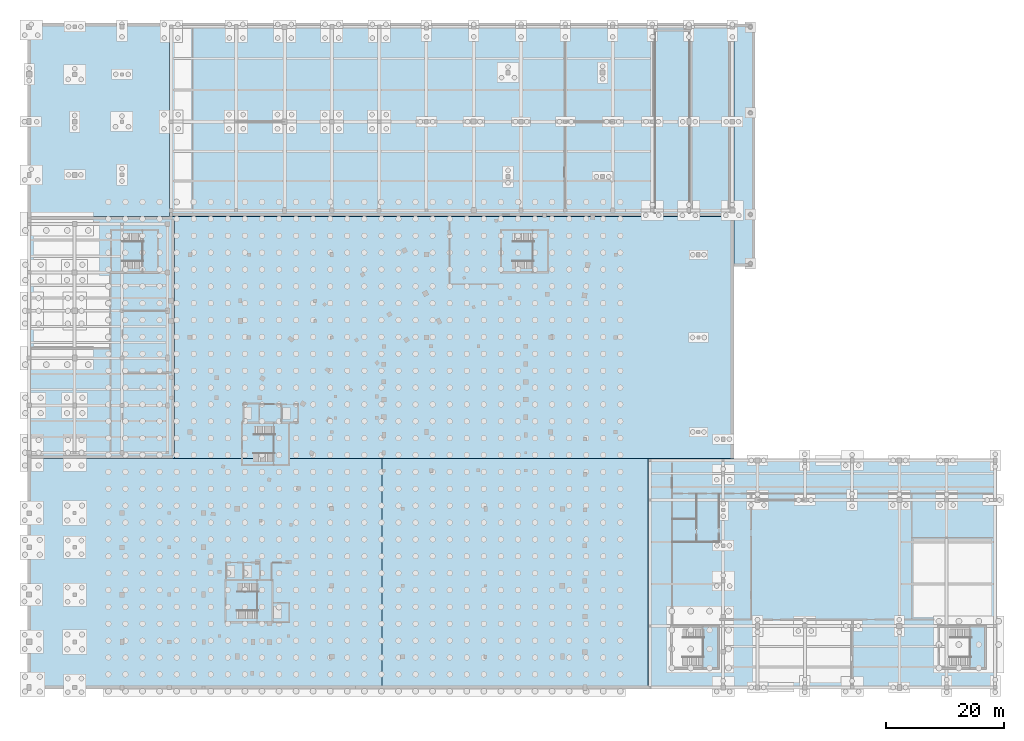
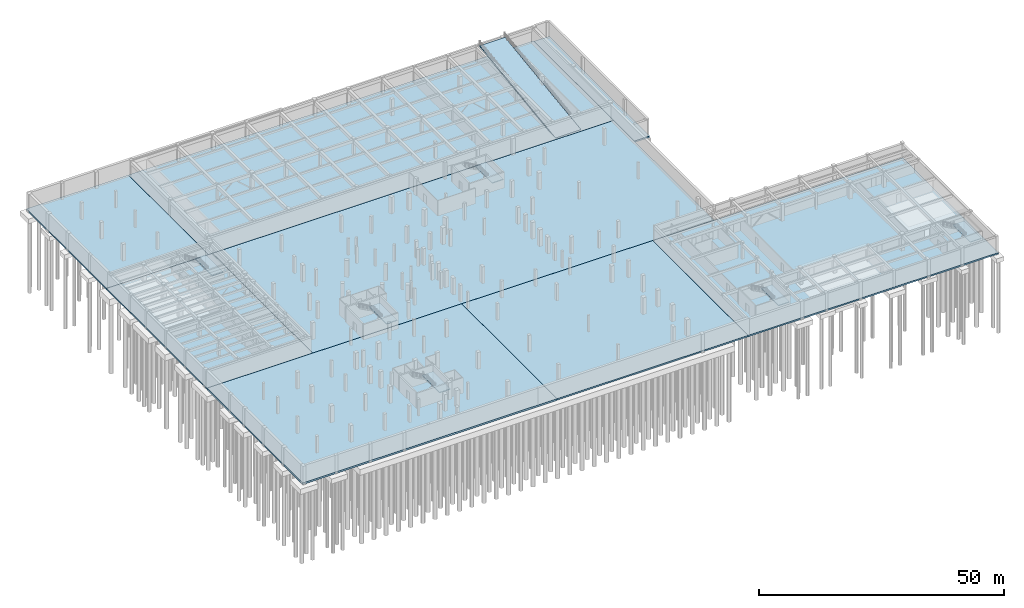
# One storey, part 13 of 36: 15 slabs, 6 elements without a shape of their own.
"""IFC4 building model written with IfcOpenShell, lengths in metres."""

from ifc_helpers import new_model, si_unit, direction, frame, origin, place, context, subcontext, project, spatial, polyline, outline, extrude, material, layer, layer_set, type_object, element, aggregate, save


model = new_model("IFC4")

# Units and contexts
model_context = context("Model", 3, precision=1e-05, world=origin(), true_north=direction((0.0, 1.0)))
body_context = subcontext(model_context, "Body", "Model", "MODEL_VIEW")
ifc_project = project(units=[si_unit("LENGTHUNIT", "METRE"), si_unit("AREAUNIT", "SQUARE_METRE"), si_unit("VOLUMEUNIT", "CUBIC_METRE"), si_unit("PLANEANGLEUNIT", "RADIAN"), si_unit("MASSUNIT", "GRAM", prefix="KILO"), si_unit("THERMODYNAMICTEMPERATUREUNIT", "KELVIN"), si_unit("POWERUNIT", "WATT")], contexts=[model_context])

# Site, building, storey
site_placement = place(None, origin())
site = spatial("IfcSite", under=ifc_project, at=site_placement, CompositionType="ELEMENT")
building_placement = place(site_placement, origin())
building = spatial("IfcBuilding", under=site, at=building_placement, Name="Solvatero Civic Police Headquarters", CompositionType="ELEMENT")
storey_placement = place(building_placement, frame((0.0, 0.0, -8.39990234375)))
storey = spatial("IfcBuildingStorey", under=building, at=storey_placement, Name="B02", CompositionType="ELEMENT", Elevation=-8.39990234375)

# Stair, slab
ifc_material_1 = material(Name="Precast concrete C40/50", Category="concrete")
stair_type_1 = type_object("IfcStairType", Name="STR-C150-420", PredefinedType="HALF_TURN_STAIR", material=ifc_material_1)
stair_1_placement = place(storey_placement, origin())
stair_1 = element("IfcStair", 1, at=stair_1_placement, inside=storey, type_object=stair_type_1, Name="Protected Exit Stair ST-C1 (B02 to B01)", PredefinedType="HALF_TURN_STAIR")
ifc_layer_1 = layer(ifc_material_1, 0.199951171875)
ifc_layer_set_1 = layer_set([ifc_layer_1], Name="Precast concrete C40/50")
slab_type_1 = type_object("IfcSlabType", Name="SLB-LND-200", PredefinedType="LANDING", material=ifc_layer_set_1)
slab_1_placement = place(storey_placement, frame((0.0, 0.0, 1.89990234375)))
slab_1 = element("IfcSlab", 2, at=slab_1_placement, type_object=slab_type_1, Name="ST-C1 B02 Half-Landing", PredefinedType="LANDING", context=body_context, shape_type="SweptSolid", body=[
    extrude(outline(polyline([(43.340087890625, 15.85009765625), (45.949951171875, 15.85009765625), (45.949951171875, 22.949951171875), (43.340087890625, 22.949951171875), (43.340087890625, 15.85009765625)])), origin(), (0.0, 0.0, 1.0), 0.199951171875),
])
aggregate(stair_1, [slab_1])

stair_2_placement = place(storey_placement, origin())
stair_2 = element("IfcStair", 3, at=stair_2_placement, inside=storey, type_object=stair_type_1, Name="Protected Exit Stair ST-C2 (B02 to B01)", PredefinedType="HALF_TURN_STAIR")
slab_2_placement = place(storey_placement, frame((0.0, 0.0, 1.89990234375)))
slab_2 = element("IfcSlab", 4, at=slab_2_placement, type_object=slab_type_1, Name="ST-C2 B02 Half-Landing", PredefinedType="LANDING", context=body_context, shape_type="SweptSolid", body=[
    extrude(outline(polyline([(46.139892578125, 42.449951171875), (48.75, 42.449951171875), (48.75, 49.550048828125), (46.139892578125, 49.550048828125), (46.139892578125, 42.449951171875)])), origin(), (0.0, 0.0, 1.0), 0.199951171875),
])
aggregate(stair_2, [slab_2])

stair_type_2 = type_object("IfcStairType", Name="STR-C145-420", PredefinedType="HALF_TURN_STAIR", material=ifc_material_1)
stair_3_placement = place(storey_placement, origin())
stair_3 = element("IfcStair", 5, at=stair_3_placement, inside=storey, type_object=stair_type_2, Name="Protected Exit Stair ST-C3 (B02 to B01)", PredefinedType="HALF_TURN_STAIR")
slab_3_placement = place(storey_placement, frame((0.0, 0.0, 1.89990234375)))
slab_3 = element("IfcSlab", 6, at=slab_3_placement, type_object=slab_type_1, Name="ST-C3 B02 Half-Landing", PredefinedType="LANDING", context=body_context, shape_type="SweptSolid", body=[
    extrude(outline(polyline([(89.93994140625, 75.050048828125), (92.550048828125, 75.050048828125), (92.550048828125, 82.14990234375), (89.93994140625, 82.14990234375), (89.93994140625, 75.050048828125)])), origin(), (0.0, 0.0, 1.0), 0.199951171875),
])
aggregate(stair_3, [slab_3])

stair_4_placement = place(storey_placement, origin())
stair_4 = element("IfcStair", 7, at=stair_4_placement, inside=storey, type_object=stair_type_2, Name="Protected Exit Stair ST-C4 (B02 to B01)", PredefinedType="HALF_TURN_STAIR")
slab_4_placement = place(storey_placement, frame((0.0, 0.0, 1.89990234375)))
slab_4 = element("IfcSlab", 8, at=slab_4_placement, type_object=slab_type_1, Name="ST-C4 B02 Half-Landing", PredefinedType="LANDING", context=body_context, shape_type="SweptSolid", body=[
    extrude(outline(polyline([(23.93994140625, 75.050048828125), (26.550048828125, 75.050048828125), (26.550048828125, 82.14990234375), (23.93994140625, 82.14990234375), (23.93994140625, 75.050048828125)])), origin(), (0.0, 0.0, 1.0), 0.199951171875),
])
aggregate(stair_4, [slab_4])

stair_5_placement = place(storey_placement, origin())
stair_5 = element("IfcStair", 9, at=stair_5_placement, inside=storey, type_object=stair_type_2, Name="Protected Exit Stair ST-C5 (B02 to B01)", PredefinedType="HALF_TURN_STAIR")
slab_5_placement = place(storey_placement, frame((0.0, 0.0, 1.89990234375)))
slab_5 = element("IfcSlab", 10, at=slab_5_placement, type_object=slab_type_1, Name="ST-C5 B02 Half-Landing", PredefinedType="LANDING", context=body_context, shape_type="SweptSolid", body=[
    extrude(outline(polyline([(118.739990234375, 8.050048828125), (121.35009765625, 8.050048828125), (121.35009765625, 15.14990234375), (118.739990234375, 15.14990234375), (118.739990234375, 8.050048828125)])), origin(), (0.0, 0.0, 1.0), 0.199951171875),
])
aggregate(stair_5, [slab_5])

stair_6_placement = place(storey_placement, origin())
stair_6 = element("IfcStair", 11, at=stair_6_placement, inside=storey, type_object=stair_type_2, Name="Protected Exit Stair ST-C6 (B02 to B01)", PredefinedType="HALF_TURN_STAIR")
slab_6_placement = place(storey_placement, frame((0.0, 0.0, 1.89990234375)))
slab_6 = element("IfcSlab", 12, at=slab_6_placement, type_object=slab_type_1, Name="ST-C6 B02 Half-Landing", PredefinedType="LANDING", context=body_context, shape_type="SweptSolid", body=[
    extrude(outline(polyline([(163.93994140625, 8.050048828125), (166.550048828125, 8.050048828125), (166.550048828125, 15.14990234375), (163.93994140625, 15.14990234375), (163.93994140625, 8.050048828125)])), origin(), (0.0, 0.0, 1.0), 0.199951171875),
])
aggregate(stair_6, [slab_6])

# Slabs
ifc_material_2 = material(Name="Concrete C35/45", Category="concrete")
ifc_layer_2 = layer(ifc_material_2, 0.360107421875)
ifc_layer_set_2 = layer_set([ifc_layer_2], Name="Concrete C35/45")
slab_type_2 = type_object("IfcSlabType", Name="SLB-MAT-360", PredefinedType="BASESLAB", material=ifc_layer_set_2)
slab_7_placement = place(storey_placement, frame((0.0, 0.0, -0.360107421875)))
element("IfcSlab", 13, at=slab_7_placement, inside=storey, type_object=slab_type_2, Name="B02 Foundation base mat SLB-B02-SC", PredefinedType="BASESLAB", context=body_context, shape_type="SweptSolid", body=[
    extrude(outline(polyline([(109.5, 43.5), (109.5, 4.5), (64.501953125, 4.5), (64.501953125, 43.5), (109.5, 43.5)])), origin(), (0.0, 0.0, 1.0), 0.360107421875),
])
slab_8_placement = place(storey_placement, frame((0.0, 0.0, -0.360107421875)))
element("IfcSlab", 14, at=slab_8_placement, inside=storey, type_object=slab_type_2, Name="B02 Foundation base mat SLB-B02-E", PredefinedType="BASESLAB", context=body_context, shape_type="SweptSolid", body=[
    extrude(outline(polyline([(168.5, 43.5), (168.5, 4.5), (109.501953125, 4.5), (109.501953125, 43.5), (168.5, 43.5)])), origin(), (0.0, 0.0, 1.0), 0.360107421875),
])
slab_9_placement = place(storey_placement, frame((0.0, 0.0, -0.360107421875)))
element("IfcSlab", 15, at=slab_9_placement, inside=storey, type_object=slab_type_2, Name="B02 Foundation base mat SLB-B02-W", PredefinedType="BASESLAB", context=body_context, shape_type="SweptSolid", body=[
    extrude(outline(polyline([(4.5, 84.5), (29.39990234375, 84.5), (29.39990234375, 43.501953125), (4.5, 43.501953125), (4.5, 84.5)])), origin(), (0.0, 0.0, 1.0), 0.360107421875),
])
slab_10_placement = place(storey_placement, frame((0.0, 0.0, -0.360107421875)))
element("IfcSlab", 16, at=slab_10_placement, inside=storey, type_object=slab_type_2, Name="B02 Foundation base mat SLB-B02-MC", PredefinedType="BASESLAB", context=body_context, shape_type="SweptSolid", body=[
    extrude(outline(polyline([(124.0, 84.5), (124.0, 43.501953125), (29.402099609375, 43.501953125), (29.402099609375, 84.5), (124.0, 84.5)])), origin(), (0.0, 0.0, 1.0), 0.360107421875),
])
slab_11_placement = place(storey_placement, frame((0.0, 0.0, -0.360107421875)))
element("IfcSlab", 17, at=slab_11_placement, inside=storey, type_object=slab_type_2, Name="B02 Foundation base mat SLB-B02-NW", PredefinedType="BASESLAB", context=body_context, shape_type="SweptSolid", body=[
    extrude(outline(polyline([(4.5, 117.199951171875), (28.5, 117.199951171875), (28.5, 84.501953125), (4.5, 84.501953125), (4.5, 117.199951171875)])), origin(), (0.0, 0.0, 1.0), 0.360107421875),
])
slab_12_placement = place(storey_placement, frame((0.0, 0.0, -0.360107421875)))
element("IfcSlab", 18, at=slab_12_placement, inside=storey, type_object=slab_type_2, Name="B02 Foundation base mat SLB-B02-N", PredefinedType="BASESLAB", context=body_context, shape_type="SweptSolid", body=[
    extrude(outline(polyline([(124.0, 117.199951171875), (124.0, 84.501953125), (28.501953125, 84.501953125), (28.501953125, 117.199951171875), (124.0, 117.199951171875)])), origin(), (0.0, 0.0, 1.0), 0.360107421875),
])
slab_13_placement = place(storey_placement, frame((0.0, 0.0, -0.360107421875)))
element("IfcSlab", 19, at=slab_13_placement, inside=storey, type_object=slab_type_2, Name="B02 Driveway Apron Base Mat", PredefinedType="BASESLAB", context=body_context, shape_type="SweptSolid", body=[
    extrude(outline(polyline([(127.60009765625, 117.0), (127.60009765625, 76.0), (124.001953125, 76.0), (124.001953125, 117.0), (127.60009765625, 117.0)])), origin(), (0.0, 0.0, 1.0), 0.360107421875),
])
ifc_layer_3 = layer(ifc_material_2, 0.419921875)
ifc_layer_set_3 = layer_set([ifc_layer_3], Name="Concrete C35/45")
slab_type_3 = type_object("IfcSlabType", Name="SLB-MAT-420", PredefinedType="BASESLAB", material=ifc_layer_set_3)
slab_14_placement = place(storey_placement, frame((0.0, 0.0, -0.420166015625)))
element("IfcSlab", 20, at=slab_14_placement, inside=storey, type_object=slab_type_3, Name="B02 Foundation base mat SLB-B02-SW", PredefinedType="BASESLAB", context=body_context, shape_type="SweptSolid", body=[
    extrude(outline(polyline([(64.5, 4.5), (64.5, 43.5), (4.5, 43.5), (4.5, 4.5), (64.5, 4.5)])), origin(), (0.0, 0.0, 1.0), 0.420166015625),
])
ifc_layer_4 = layer(ifc_material_2, 0.300048828125)
ifc_layer_set_4 = layer_set([ifc_layer_4], Name="Concrete C35/45")
slab_type_4 = type_object("IfcSlabType", Name="SLB-VRMP-300", PredefinedType="FLOOR", material=ifc_layer_set_4)
slab_15_placement = place(storey_placement, frame((110.60009765625, 85.0, 0.0), z_axis=(0.0, -0.134255736391, 0.990946717663), x_axis=(1.0, 0.0, 0.0)))
element("IfcSlab", 21, at=slab_15_placement, inside=storey, type_object=slab_type_4, Name="B02-B01 Structural Concrete C35/45 Vehicle Ramp Slab VRS-01", PredefinedType="FLOOR", context=body_context, shape_type="SweptSolid", body=[
    extrude(outline(polyline([(0.0, 0.0), (6.0, 0.0), (6.0, 31.283215784924256), (0.0, 31.283215784924256), (0.0, 0.0)])), origin(), (0.0, 0.0, -1.0), 0.300048828125),
])

save(model, "model.ifc")
